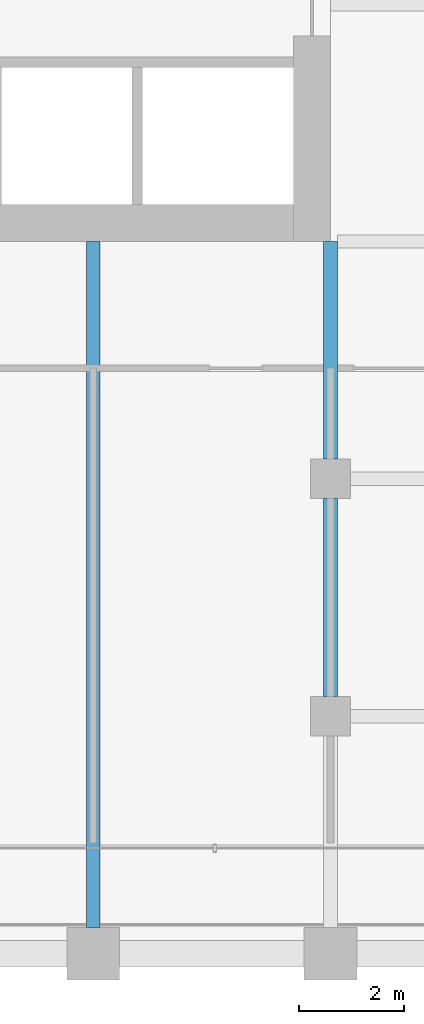
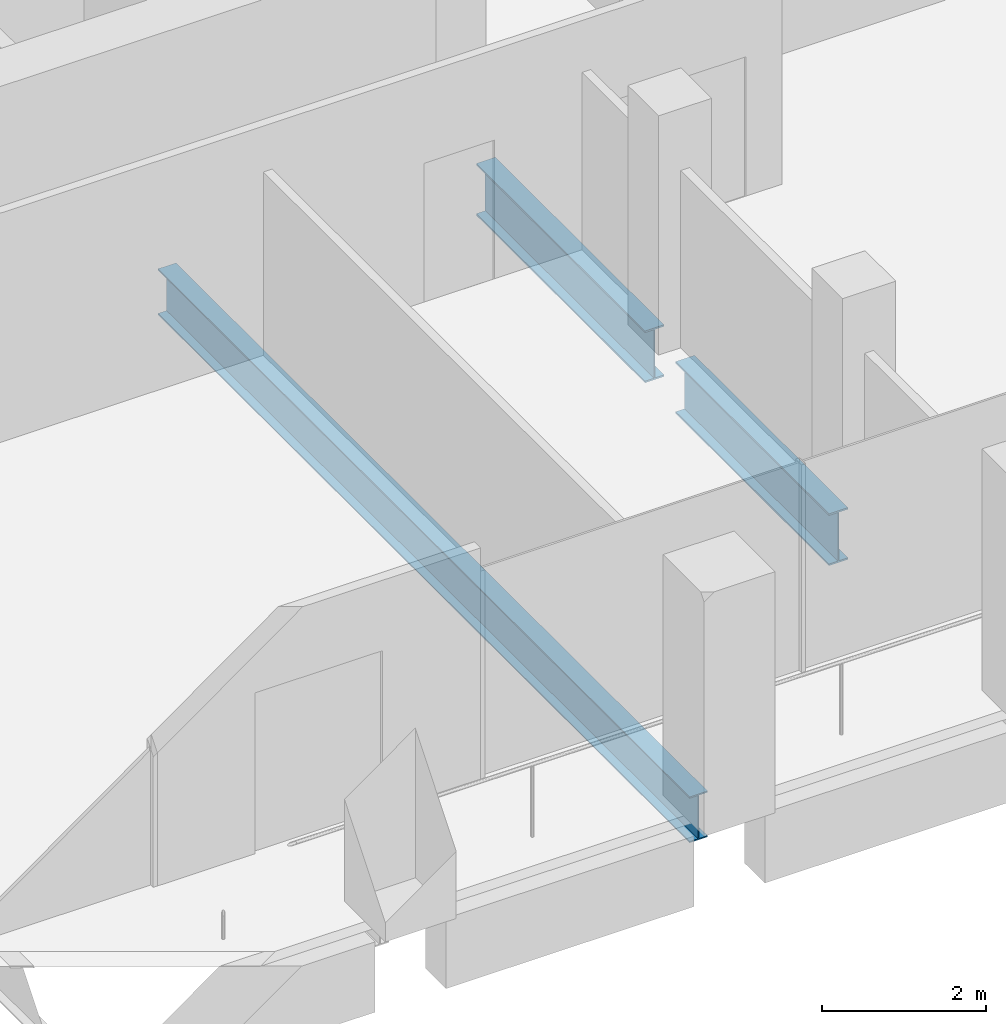
# One storey, part 10 of 47: 3 beams.
"""IFC4 building model written with IfcOpenShell, lengths in metres."""

from ifc_helpers import new_model, si_unit, direction, frame, origin, origin_2d, place, context, subcontext, project, spatial, i_section, extrude, material, material_profile, profile_set, type_object, element, save


model = new_model("IFC4")

# Units and contexts
model_context = context("Model", 3, precision=1e-05, world=origin(), true_north=direction((0.0, 1.0)))
body_context = subcontext(model_context, "Body", "Model", "MODEL_VIEW")
ifc_project = project(units=[si_unit("LENGTHUNIT", "METRE"), si_unit("AREAUNIT", "SQUARE_METRE"), si_unit("VOLUMEUNIT", "CUBIC_METRE"), si_unit("PLANEANGLEUNIT", "RADIAN"), si_unit("MASSUNIT", "GRAM", prefix="KILO")], contexts=[model_context])

# Site, building, storey
site_placement = place(None, origin())
site = spatial("IfcSite", under=ifc_project, at=site_placement, CompositionType="ELEMENT")
building_placement = place(site_placement, origin())
building = spatial("IfcBuilding", under=site, at=building_placement, Name="Altepetl Exchange Towers", CompositionType="ELEMENT")
storey_placement = place(building_placement, frame((0.0, 0.0, 95.60009765625)))
storey = spatial("IfcBuildingStorey", under=building, at=storey_placement, Name="L23", CompositionType="ELEMENT", Elevation=95.60009765625)

# Beams
ifc_material = material(Name="Steel S355", Category="steel")
ifc_material_profile_1 = material_profile(ifc_material, i_section(OverallWidth=0.25390625, OverallDepth=0.68408203125, WebThickness=0.012451171875, FlangeThickness=0.018798828125, at=origin_2d()), Name="W27X94")
ifc_profile_set_1 = profile_set([ifc_material_profile_1], Name="Steel S355")
beam_type_1 = type_object("IfcBeamType", Name="Floor beam W27X94", PredefinedType="BEAM", material=ifc_profile_set_1)
beam_1_placement = place(storey_placement, frame((54.0, 27.5, -0.4921875), z_axis=(0.0, 1.0, 0.0), x_axis=(-1.0, 0.0, 0.0)))
element("IfcBeam", 1, at=beam_1_placement, inside=storey, type_object=beam_type_1, Name="bm:A:L23:017", PredefinedType="BEAM", context=body_context, shape_type="SweptSolid", body=[
    extrude(i_section(OverallWidth=0.25390625, OverallDepth=0.68408203125, WebThickness=0.012451171875, FlangeThickness=0.018798828125, at=origin_2d()), origin(), (0.0, 0.0, 1.0), 13.0),
])
ifc_material_profile_2 = material_profile(ifc_material, i_section(OverallWidth=0.26806640625, OverallDepth=0.77392578125, WebThickness=0.015380859375, FlangeThickness=0.025390625, at=origin_2d()), Name="W30X132")
ifc_profile_set_2 = profile_set([ifc_material_profile_2], Name="Steel S355")
beam_type_2 = type_object("IfcBeamType", Name="Girder W30X132", PredefinedType="BEAM", material=ifc_profile_set_2)
beam_2_placement = place(storey_placement, frame((58.5, 40.5, -0.537109375), z_axis=(0.0, -1.0, 0.0), x_axis=(1.0, 0.0, 0.0)))
element("IfcBeam", 2, at=beam_2_placement, inside=storey, type_object=beam_type_2, Name="gd:A:L23:003", PredefinedType="BEAM", context=body_context, shape_type="SweptSolid", body=[
    extrude(i_section(OverallWidth=0.26806640625, OverallDepth=0.77392578125, WebThickness=0.015380859375, FlangeThickness=0.025390625, at=origin_2d()), origin(), (0.0, 0.0, 1.0), 4.125),
])
beam_3_placement = place(storey_placement, frame((58.5, 35.625, -0.537109375), z_axis=(0.0, -1.0, 0.0), x_axis=(1.0, 0.0, 0.0)))
element("IfcBeam", 3, at=beam_3_placement, inside=storey, type_object=beam_type_2, Name="gd:A:L23:004", PredefinedType="BEAM", context=body_context, shape_type="SweptSolid", body=[
    extrude(i_section(OverallWidth=0.26806640625, OverallDepth=0.77392578125, WebThickness=0.015380859375, FlangeThickness=0.025390625, at=origin_2d()), origin(), (0.0, 0.0, 1.0), 3.75),
])

save(model, "model.ifc")
